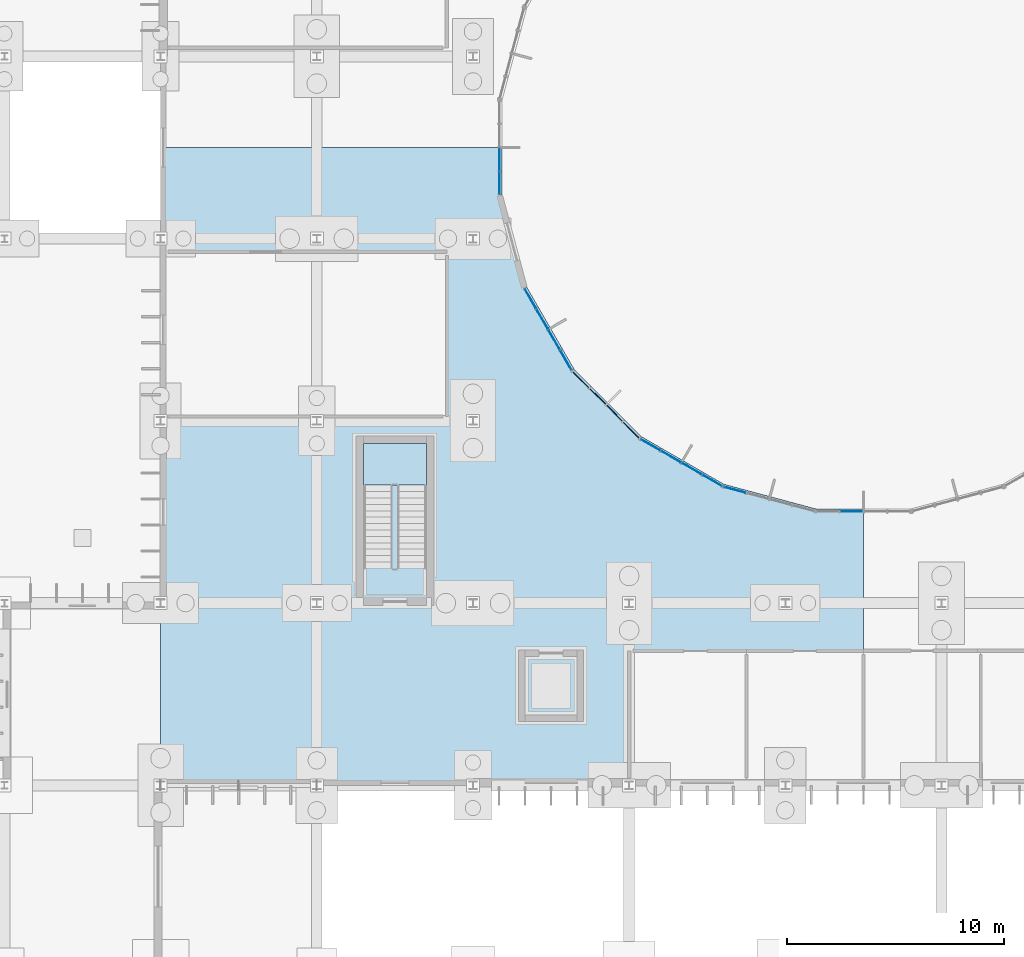
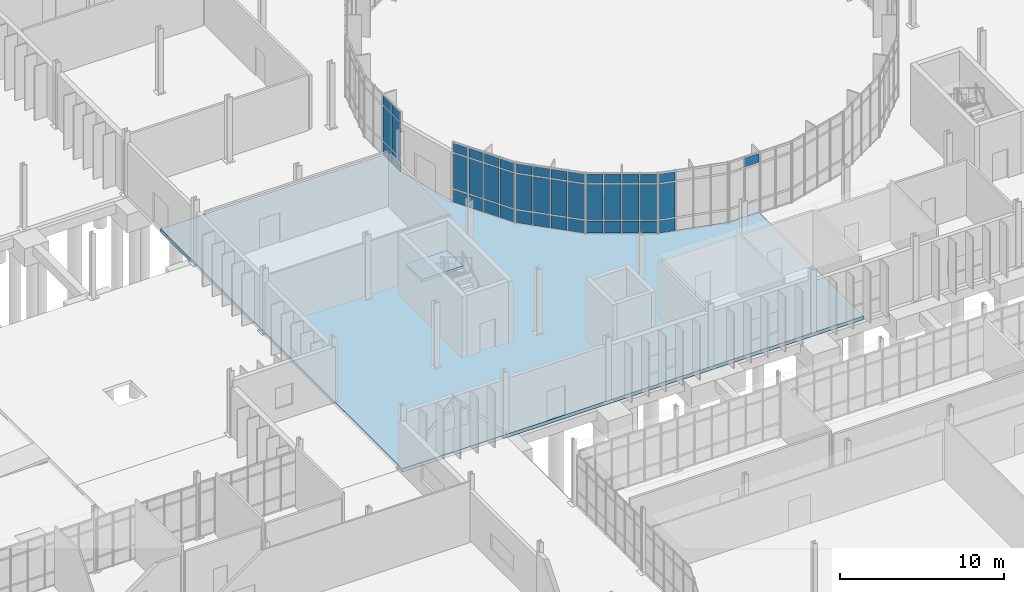
# One storey, part 58 of 118: 46 plates, 2 slabs, 7 elements without a shape of their own.
"""IFC4 building model written with IfcOpenShell, lengths in metres."""

from ifc_helpers import new_model, si_unit, direction, frame, origin, origin_2d, place, context, subcontext, project, spatial, polyline, rectangle, outline, extrude, material, layer, layer_set, type_object, element, aggregate, save


model = new_model("IFC4")

# Units and contexts
model_context = context("Model", 3, precision=1e-05, world=origin(), true_north=direction((0.0, 1.0)))
body_context = subcontext(model_context, "Body", "Model", "MODEL_VIEW")
ifc_project = project(units=[si_unit("LENGTHUNIT", "METRE"), si_unit("AREAUNIT", "SQUARE_METRE"), si_unit("VOLUMEUNIT", "CUBIC_METRE"), si_unit("PLANEANGLEUNIT", "RADIAN"), si_unit("MASSUNIT", "GRAM", prefix="KILO")], contexts=[model_context])

# Site, building, storey
site_placement = place(None, origin())
site = spatial("IfcSite", under=ifc_project, at=site_placement, CompositionType="ELEMENT")
building_placement = place(site_placement, origin())
building = spatial("IfcBuilding", under=site, at=building_placement, Name="Qelthora Terrace Specialist Clinic", CompositionType="ELEMENT")
storey_placement = place(building_placement, origin())
storey = spatial("IfcBuildingStorey", under=building, at=storey_placement, Name="L00", CompositionType="ELEMENT", Elevation=0.0)

# Curtain wall, plates
ifc_material_1 = material(Name="Aluminium anodized bronze", Category="aluminium")
curtain_wall_type = type_object("IfcCurtainWallType", Name="CW-CRTE-L00", PredefinedType="NOTDEFINED", material=ifc_material_1)
curtain_wall_1_placement = place(storey_placement, origin())
curtain_wall_1 = element("IfcCurtainWall", 1, at=curtain_wall_1_placement, inside=storey, type_object=curtain_wall_type, Name="Curtain wall CW-CE-L00-12", PredefinedType="NOTDEFINED")
ifc_material_2 = material(Name="Low-E triple-silver insulating glass", Category="glass")
ifc_layer_1 = layer(ifc_material_2, 0.035888671875)
ifc_layer_set_1 = layer_set([ifc_layer_1], Name="Low-E triple-silver insulating glass")
plate_type = type_object("IfcPlateType", Name="CWP-IGU-36", PredefinedType="CURTAIN_PANEL", material=ifc_layer_set_1)
plate_1_placement = place(storey_placement, frame((109.2236328125, 62.451904296875, 0.0849609375), z_axis=(0.0, 0.0, 1.0), x_axis=(0.0, -1.0, 0.0)))
plate_1 = element("IfcPlate", 2, at=plate_1_placement, type_object=plate_type, Name="CW-CE-L00-12 glazed panel 7", PredefinedType="CURTAIN_PANEL", context=body_context, shape_type="SweptSolid", body=[
    extrude(rectangle(XDim=0.996337890625, YDim=0.035888671875, at=origin_2d()), origin(), (0.0, 0.0, 1.0), 0.919921875),
])
plate_2_placement = place(storey_placement, frame((109.2236328125, 62.451904296875, 1.094970703125), z_axis=(0.0, 0.0, 1.0), x_axis=(0.0, -1.0, 0.0)))
plate_2 = element("IfcPlate", 3, at=plate_2_placement, type_object=plate_type, Name="CW-CE-L00-12 glazed panel 8", PredefinedType="CURTAIN_PANEL", context=body_context, shape_type="SweptSolid", body=[
    extrude(rectangle(XDim=0.996337890625, YDim=0.035888671875, at=origin_2d()), origin(), (0.0, 0.0, 1.0), 2.60498046875),
])
plate_3_placement = place(storey_placement, frame((109.2236328125, 62.451904296875, 3.7900390625), z_axis=(0.0, 0.0, 1.0), x_axis=(0.0, -1.0, 0.0)))
plate_3 = element("IfcPlate", 4, at=plate_3_placement, type_object=plate_type, Name="CW-CE-L00-12 glazed panel 9", PredefinedType="CURTAIN_PANEL", context=body_context, shape_type="SweptSolid", body=[
    extrude(rectangle(XDim=0.996337890625, YDim=0.035888671875, at=origin_2d()), origin(), (0.0, 0.0, 1.0), 0.669921875),
])
plate_4_placement = place(storey_placement, frame((109.2236328125, 61.35546875, 0.0849609375), z_axis=(0.0, 0.0, 1.0), x_axis=(0.0, -1.0, 0.0)))
plate_4 = element("IfcPlate", 5, at=plate_4_placement, type_object=plate_type, Name="CW-CE-L00-12 glazed panel 10", PredefinedType="CURTAIN_PANEL", context=body_context, shape_type="SweptSolid", body=[
    extrude(rectangle(XDim=0.996337890625, YDim=0.035888671875, at=origin_2d()), origin(), (0.0, 0.0, 1.0), 0.919921875),
])
plate_5_placement = place(storey_placement, frame((109.2236328125, 61.35546875, 1.094970703125), z_axis=(0.0, 0.0, 1.0), x_axis=(0.0, -1.0, 0.0)))
plate_5 = element("IfcPlate", 6, at=plate_5_placement, type_object=plate_type, Name="CW-CE-L00-12 glazed panel 11", PredefinedType="CURTAIN_PANEL", context=body_context, shape_type="SweptSolid", body=[
    extrude(rectangle(XDim=0.996337890625, YDim=0.035888671875, at=origin_2d()), origin(), (0.0, 0.0, 1.0), 2.60498046875),
])
plate_6_placement = place(storey_placement, frame((109.2236328125, 61.35546875, 3.7900390625), z_axis=(0.0, 0.0, 1.0), x_axis=(0.0, -1.0, 0.0)))
plate_6 = element("IfcPlate", 7, at=plate_6_placement, type_object=plate_type, Name="CW-CE-L00-12 glazed panel 12", PredefinedType="CURTAIN_PANEL", context=body_context, shape_type="SweptSolid", body=[
    extrude(rectangle(XDim=0.996337890625, YDim=0.035888671875, at=origin_2d()), origin(), (0.0, 0.0, 1.0), 0.669921875),
])
aggregate(curtain_wall_1, [plate_1, plate_2, plate_3, plate_4, plate_5, plate_6])

curtain_wall_2_placement = place(storey_placement, origin())
curtain_wall_2 = element("IfcCurtainWall", 8, at=curtain_wall_2_placement, inside=storey, type_object=curtain_wall_type, Name="Curtain wall CW-CE-L00-14", PredefinedType="NOTDEFINED")
plate_7_placement = place(storey_placement, frame((110.64892578125, 56.0361328125, 0.0849609375), z_axis=(0.0, 0.0, 1.0), x_axis=(0.5, -0.866025403784, 0.0)))
plate_7 = element("IfcPlate", 9, at=plate_7_placement, type_object=plate_type, Name="CW-CE-L00-14 glazed panel 1", PredefinedType="CURTAIN_PANEL", context=body_context, shape_type="SweptSolid", body=[
    extrude(rectangle(XDim=0.996337890625, YDim=0.035888671875, at=origin_2d()), origin(), (0.0, 0.0, 1.0), 0.919921875),
])
plate_8_placement = place(storey_placement, frame((110.64892578125, 56.0361328125, 1.094970703125), z_axis=(0.0, 0.0, 1.0), x_axis=(0.5, -0.866025403784, 0.0)))
plate_8 = element("IfcPlate", 10, at=plate_8_placement, type_object=plate_type, Name="CW-CE-L00-14 glazed panel 2", PredefinedType="CURTAIN_PANEL", context=body_context, shape_type="SweptSolid", body=[
    extrude(rectangle(XDim=0.996337890625, YDim=0.035888671875, at=origin_2d()), origin(), (0.0, 0.0, 1.0), 2.60498046875),
])
plate_9_placement = place(storey_placement, frame((110.64892578125, 56.0361328125, 3.7900390625), z_axis=(0.0, 0.0, 1.0), x_axis=(0.5, -0.866025403784, 0.0)))
plate_9 = element("IfcPlate", 11, at=plate_9_placement, type_object=plate_type, Name="CW-CE-L00-14 glazed panel 3", PredefinedType="CURTAIN_PANEL", context=body_context, shape_type="SweptSolid", body=[
    extrude(rectangle(XDim=0.996337890625, YDim=0.035888671875, at=origin_2d()), origin(), (0.0, 0.0, 1.0), 0.669921875),
])
plate_10_placement = place(storey_placement, frame((111.197265625, 55.086669921875, 0.0849609375), z_axis=(0.0, 0.0, 1.0), x_axis=(0.5, -0.866025403784, 0.0)))
plate_10 = element("IfcPlate", 12, at=plate_10_placement, type_object=plate_type, Name="CW-CE-L00-14 glazed panel 4", PredefinedType="CURTAIN_PANEL", context=body_context, shape_type="SweptSolid", body=[
    extrude(rectangle(XDim=0.996337890625, YDim=0.035888671875, at=origin_2d()), origin(), (0.0, 0.0, 1.0), 0.919921875),
])
plate_11_placement = place(storey_placement, frame((111.197265625, 55.086669921875, 1.094970703125), z_axis=(0.0, 0.0, 1.0), x_axis=(0.5, -0.866025403784, 0.0)))
plate_11 = element("IfcPlate", 13, at=plate_11_placement, type_object=plate_type, Name="CW-CE-L00-14 glazed panel 5", PredefinedType="CURTAIN_PANEL", context=body_context, shape_type="SweptSolid", body=[
    extrude(rectangle(XDim=0.996337890625, YDim=0.035888671875, at=origin_2d()), origin(), (0.0, 0.0, 1.0), 2.60498046875),
])
plate_12_placement = place(storey_placement, frame((111.197265625, 55.086669921875, 3.7900390625), z_axis=(0.0, 0.0, 1.0), x_axis=(0.5, -0.866025403784, 0.0)))
plate_12 = element("IfcPlate", 14, at=plate_12_placement, type_object=plate_type, Name="CW-CE-L00-14 glazed panel 6", PredefinedType="CURTAIN_PANEL", context=body_context, shape_type="SweptSolid", body=[
    extrude(rectangle(XDim=0.996337890625, YDim=0.035888671875, at=origin_2d()), origin(), (0.0, 0.0, 1.0), 0.669921875),
])
plate_13_placement = place(storey_placement, frame((111.745361328125, 54.13720703125, 0.0849609375), z_axis=(0.0, 0.0, 1.0), x_axis=(0.5, -0.866025403784, 0.0)))
plate_13 = element("IfcPlate", 15, at=plate_13_placement, type_object=plate_type, Name="CW-CE-L00-14 glazed panel 7", PredefinedType="CURTAIN_PANEL", context=body_context, shape_type="SweptSolid", body=[
    extrude(rectangle(XDim=0.996337890625, YDim=0.035888671875, at=origin_2d()), origin(), (0.0, 0.0, 1.0), 0.919921875),
])
plate_14_placement = place(storey_placement, frame((111.745361328125, 54.13720703125, 1.094970703125), z_axis=(0.0, 0.0, 1.0), x_axis=(0.5, -0.866025403784, 0.0)))
plate_14 = element("IfcPlate", 16, at=plate_14_placement, type_object=plate_type, Name="CW-CE-L00-14 glazed panel 8", PredefinedType="CURTAIN_PANEL", context=body_context, shape_type="SweptSolid", body=[
    extrude(rectangle(XDim=0.996337890625, YDim=0.035888671875, at=origin_2d()), origin(), (0.0, 0.0, 1.0), 2.60498046875),
])
plate_15_placement = place(storey_placement, frame((111.745361328125, 54.13720703125, 3.7900390625), z_axis=(0.0, 0.0, 1.0), x_axis=(0.5, -0.866025403784, 0.0)))
plate_15 = element("IfcPlate", 17, at=plate_15_placement, type_object=plate_type, Name="CW-CE-L00-14 glazed panel 9", PredefinedType="CURTAIN_PANEL", context=body_context, shape_type="SweptSolid", body=[
    extrude(rectangle(XDim=0.996337890625, YDim=0.035888671875, at=origin_2d()), origin(), (0.0, 0.0, 1.0), 0.669921875),
])
plate_16_placement = place(storey_placement, frame((112.293701171875, 53.1875, 0.0849609375), z_axis=(0.0, 0.0, 1.0), x_axis=(0.5, -0.866025403784, 0.0)))
plate_16 = element("IfcPlate", 18, at=plate_16_placement, type_object=plate_type, Name="CW-CE-L00-14 glazed panel 10", PredefinedType="CURTAIN_PANEL", context=body_context, shape_type="SweptSolid", body=[
    extrude(rectangle(XDim=0.996337890625, YDim=0.035888671875, at=origin_2d()), origin(), (0.0, 0.0, 1.0), 0.919921875),
])
plate_17_placement = place(storey_placement, frame((112.293701171875, 53.1875, 1.094970703125), z_axis=(0.0, 0.0, 1.0), x_axis=(0.5, -0.866025403784, 0.0)))
plate_17 = element("IfcPlate", 19, at=plate_17_placement, type_object=plate_type, Name="CW-CE-L00-14 glazed panel 11", PredefinedType="CURTAIN_PANEL", context=body_context, shape_type="SweptSolid", body=[
    extrude(rectangle(XDim=0.996337890625, YDim=0.035888671875, at=origin_2d()), origin(), (0.0, 0.0, 1.0), 2.60498046875),
])
plate_18_placement = place(storey_placement, frame((112.293701171875, 53.1875, 3.7900390625), z_axis=(0.0, 0.0, 1.0), x_axis=(0.5, -0.866025403784, 0.0)))
plate_18 = element("IfcPlate", 20, at=plate_18_placement, type_object=plate_type, Name="CW-CE-L00-14 glazed panel 12", PredefinedType="CURTAIN_PANEL", context=body_context, shape_type="SweptSolid", body=[
    extrude(rectangle(XDim=0.996337890625, YDim=0.035888671875, at=origin_2d()), origin(), (0.0, 0.0, 1.0), 0.669921875),
])
aggregate(curtain_wall_2, [plate_7, plate_8, plate_9, plate_10, plate_11, plate_12, plate_13, plate_14, plate_15, plate_16, plate_17, plate_18])

curtain_wall_3_placement = place(storey_placement, origin())
curtain_wall_3 = element("IfcCurtainWall", 21, at=curtain_wall_3_placement, inside=storey, type_object=curtain_wall_type, Name="Curtain wall CW-CE-L00-15", PredefinedType="NOTDEFINED")
plate_19_placement = place(storey_placement, frame((112.974365234375, 52.30029296875, 0.0849609375), z_axis=(0.0, 0.0, 1.0), x_axis=(0.707106781187, -0.707106781187, 0.0)))
plate_19 = element("IfcPlate", 22, at=plate_19_placement, type_object=plate_type, Name="CW-CE-L00-15 glazed panel 1", PredefinedType="CURTAIN_PANEL", context=body_context, shape_type="SweptSolid", body=[
    extrude(rectangle(XDim=0.996337890625, YDim=0.035888671875, at=origin_2d()), origin(), (0.0, 0.0, 1.0), 0.919921875),
])
plate_20_placement = place(storey_placement, frame((112.974365234375, 52.30029296875, 1.094970703125), z_axis=(0.0, 0.0, 1.0), x_axis=(0.707106781187, -0.707106781187, 0.0)))
plate_20 = element("IfcPlate", 23, at=plate_20_placement, type_object=plate_type, Name="CW-CE-L00-15 glazed panel 2", PredefinedType="CURTAIN_PANEL", context=body_context, shape_type="SweptSolid", body=[
    extrude(rectangle(XDim=0.996337890625, YDim=0.035888671875, at=origin_2d()), origin(), (0.0, 0.0, 1.0), 2.60498046875),
])
plate_21_placement = place(storey_placement, frame((112.974365234375, 52.30029296875, 3.7900390625), z_axis=(0.0, 0.0, 1.0), x_axis=(0.707106781187, -0.707106781187, 0.0)))
plate_21 = element("IfcPlate", 24, at=plate_21_placement, type_object=plate_type, Name="CW-CE-L00-15 glazed panel 3", PredefinedType="CURTAIN_PANEL", context=body_context, shape_type="SweptSolid", body=[
    extrude(rectangle(XDim=0.996337890625, YDim=0.035888671875, at=origin_2d()), origin(), (0.0, 0.0, 1.0), 0.669921875),
])
plate_22_placement = place(storey_placement, frame((113.749755859375, 51.525146484375, 0.0849609375), z_axis=(0.0, 0.0, 1.0), x_axis=(0.707106781187, -0.707106781187, 0.0)))
plate_22 = element("IfcPlate", 25, at=plate_22_placement, type_object=plate_type, Name="CW-CE-L00-15 glazed panel 4", PredefinedType="CURTAIN_PANEL", context=body_context, shape_type="SweptSolid", body=[
    extrude(rectangle(XDim=0.996337890625, YDim=0.035888671875, at=origin_2d()), origin(), (0.0, 0.0, 1.0), 0.919921875),
])
plate_23_placement = place(storey_placement, frame((113.749755859375, 51.525146484375, 1.094970703125), z_axis=(0.0, 0.0, 1.0), x_axis=(0.707106781187, -0.707106781187, 0.0)))
plate_23 = element("IfcPlate", 26, at=plate_23_placement, type_object=plate_type, Name="CW-CE-L00-15 glazed panel 5", PredefinedType="CURTAIN_PANEL", context=body_context, shape_type="SweptSolid", body=[
    extrude(rectangle(XDim=0.996337890625, YDim=0.035888671875, at=origin_2d()), origin(), (0.0, 0.0, 1.0), 2.60498046875),
])
plate_24_placement = place(storey_placement, frame((113.749755859375, 51.525146484375, 3.7900390625), z_axis=(0.0, 0.0, 1.0), x_axis=(0.707106781187, -0.707106781187, 0.0)))
plate_24 = element("IfcPlate", 27, at=plate_24_placement, type_object=plate_type, Name="CW-CE-L00-15 glazed panel 6", PredefinedType="CURTAIN_PANEL", context=body_context, shape_type="SweptSolid", body=[
    extrude(rectangle(XDim=0.996337890625, YDim=0.035888671875, at=origin_2d()), origin(), (0.0, 0.0, 1.0), 0.669921875),
])
plate_25_placement = place(storey_placement, frame((114.525146484375, 50.749755859375, 0.0849609375), z_axis=(0.0, 0.0, 1.0), x_axis=(0.707106781187, -0.707106781187, 0.0)))
plate_25 = element("IfcPlate", 28, at=plate_25_placement, type_object=plate_type, Name="CW-CE-L00-15 glazed panel 7", PredefinedType="CURTAIN_PANEL", context=body_context, shape_type="SweptSolid", body=[
    extrude(rectangle(XDim=0.996337890625, YDim=0.035888671875, at=origin_2d()), origin(), (0.0, 0.0, 1.0), 0.919921875),
])
plate_26_placement = place(storey_placement, frame((114.525146484375, 50.749755859375, 1.094970703125), z_axis=(0.0, 0.0, 1.0), x_axis=(0.707106781187, -0.707106781187, 0.0)))
plate_26 = element("IfcPlate", 29, at=plate_26_placement, type_object=plate_type, Name="CW-CE-L00-15 glazed panel 8", PredefinedType="CURTAIN_PANEL", context=body_context, shape_type="SweptSolid", body=[
    extrude(rectangle(XDim=0.996337890625, YDim=0.035888671875, at=origin_2d()), origin(), (0.0, 0.0, 1.0), 2.60498046875),
])
plate_27_placement = place(storey_placement, frame((114.525146484375, 50.749755859375, 3.7900390625), z_axis=(0.0, 0.0, 1.0), x_axis=(0.707106781187, -0.707106781187, 0.0)))
plate_27 = element("IfcPlate", 30, at=plate_27_placement, type_object=plate_type, Name="CW-CE-L00-15 glazed panel 9", PredefinedType="CURTAIN_PANEL", context=body_context, shape_type="SweptSolid", body=[
    extrude(rectangle(XDim=0.996337890625, YDim=0.035888671875, at=origin_2d()), origin(), (0.0, 0.0, 1.0), 0.669921875),
])
plate_28_placement = place(storey_placement, frame((115.30029296875, 49.974365234375, 0.0849609375), z_axis=(0.0, 0.0, 1.0), x_axis=(0.707106781187, -0.707106781187, 0.0)))
plate_28 = element("IfcPlate", 31, at=plate_28_placement, type_object=plate_type, Name="CW-CE-L00-15 glazed panel 10", PredefinedType="CURTAIN_PANEL", context=body_context, shape_type="SweptSolid", body=[
    extrude(rectangle(XDim=0.996337890625, YDim=0.035888671875, at=origin_2d()), origin(), (0.0, 0.0, 1.0), 0.919921875),
])
plate_29_placement = place(storey_placement, frame((115.30029296875, 49.974365234375, 1.094970703125), z_axis=(0.0, 0.0, 1.0), x_axis=(0.707106781187, -0.707106781187, 0.0)))
plate_29 = element("IfcPlate", 32, at=plate_29_placement, type_object=plate_type, Name="CW-CE-L00-15 glazed panel 11", PredefinedType="CURTAIN_PANEL", context=body_context, shape_type="SweptSolid", body=[
    extrude(rectangle(XDim=0.996337890625, YDim=0.035888671875, at=origin_2d()), origin(), (0.0, 0.0, 1.0), 2.60498046875),
])
plate_30_placement = place(storey_placement, frame((115.30029296875, 49.974365234375, 3.7900390625), z_axis=(0.0, 0.0, 1.0), x_axis=(0.707106781187, -0.707106781187, 0.0)))
plate_30 = element("IfcPlate", 33, at=plate_30_placement, type_object=plate_type, Name="CW-CE-L00-15 glazed panel 12", PredefinedType="CURTAIN_PANEL", context=body_context, shape_type="SweptSolid", body=[
    extrude(rectangle(XDim=0.996337890625, YDim=0.035888671875, at=origin_2d()), origin(), (0.0, 0.0, 1.0), 0.669921875),
])
aggregate(curtain_wall_3, [plate_19, plate_20, plate_21, plate_22, plate_23, plate_24, plate_25, plate_26, plate_27, plate_28, plate_29, plate_30])

curtain_wall_4_placement = place(storey_placement, origin())
curtain_wall_4 = element("IfcCurtainWall", 34, at=curtain_wall_4_placement, inside=storey, type_object=curtain_wall_type, Name="Curtain wall CW-CE-L00-16", PredefinedType="NOTDEFINED")
plate_31_placement = place(storey_placement, frame((116.1875, 49.293701171875, 0.0849609375), z_axis=(0.0, 0.0, 1.0), x_axis=(0.866025403784, -0.5, 0.0)))
plate_31 = element("IfcPlate", 35, at=plate_31_placement, type_object=plate_type, Name="CW-CE-L00-16 glazed panel 1", PredefinedType="CURTAIN_PANEL", context=body_context, shape_type="SweptSolid", body=[
    extrude(rectangle(XDim=0.996337890625, YDim=0.035888671875, at=origin_2d()), origin(), (0.0, 0.0, 1.0), 0.919921875),
])
plate_32_placement = place(storey_placement, frame((116.1875, 49.293701171875, 1.094970703125), z_axis=(0.0, 0.0, 1.0), x_axis=(0.866025403784, -0.5, 0.0)))
plate_32 = element("IfcPlate", 36, at=plate_32_placement, type_object=plate_type, Name="CW-CE-L00-16 glazed panel 2", PredefinedType="CURTAIN_PANEL", context=body_context, shape_type="SweptSolid", body=[
    extrude(rectangle(XDim=0.996337890625, YDim=0.035888671875, at=origin_2d()), origin(), (0.0, 0.0, 1.0), 2.60498046875),
])
plate_33_placement = place(storey_placement, frame((116.1875, 49.293701171875, 3.7900390625), z_axis=(0.0, 0.0, 1.0), x_axis=(0.866025403784, -0.5, 0.0)))
plate_33 = element("IfcPlate", 37, at=plate_33_placement, type_object=plate_type, Name="CW-CE-L00-16 glazed panel 3", PredefinedType="CURTAIN_PANEL", context=body_context, shape_type="SweptSolid", body=[
    extrude(rectangle(XDim=0.996337890625, YDim=0.035888671875, at=origin_2d()), origin(), (0.0, 0.0, 1.0), 0.669921875),
])
plate_34_placement = place(storey_placement, frame((117.13720703125, 48.745361328125, 0.0849609375), z_axis=(0.0, 0.0, 1.0), x_axis=(0.866025403784, -0.5, 0.0)))
plate_34 = element("IfcPlate", 38, at=plate_34_placement, type_object=plate_type, Name="CW-CE-L00-16 glazed panel 4", PredefinedType="CURTAIN_PANEL", context=body_context, shape_type="SweptSolid", body=[
    extrude(rectangle(XDim=0.996337890625, YDim=0.035888671875, at=origin_2d()), origin(), (0.0, 0.0, 1.0), 0.919921875),
])
plate_35_placement = place(storey_placement, frame((117.13720703125, 48.745361328125, 1.094970703125), z_axis=(0.0, 0.0, 1.0), x_axis=(0.866025403784, -0.5, 0.0)))
plate_35 = element("IfcPlate", 39, at=plate_35_placement, type_object=plate_type, Name="CW-CE-L00-16 glazed panel 5", PredefinedType="CURTAIN_PANEL", context=body_context, shape_type="SweptSolid", body=[
    extrude(rectangle(XDim=0.996337890625, YDim=0.035888671875, at=origin_2d()), origin(), (0.0, 0.0, 1.0), 2.60498046875),
])
plate_36_placement = place(storey_placement, frame((117.13720703125, 48.745361328125, 3.7900390625), z_axis=(0.0, 0.0, 1.0), x_axis=(0.866025403784, -0.5, 0.0)))
plate_36 = element("IfcPlate", 40, at=plate_36_placement, type_object=plate_type, Name="CW-CE-L00-16 glazed panel 6", PredefinedType="CURTAIN_PANEL", context=body_context, shape_type="SweptSolid", body=[
    extrude(rectangle(XDim=0.996337890625, YDim=0.035888671875, at=origin_2d()), origin(), (0.0, 0.0, 1.0), 0.669921875),
])
plate_37_placement = place(storey_placement, frame((118.086669921875, 48.197265625, 0.0849609375), z_axis=(0.0, 0.0, 1.0), x_axis=(0.866025403784, -0.5, 0.0)))
plate_37 = element("IfcPlate", 41, at=plate_37_placement, type_object=plate_type, Name="CW-CE-L00-16 glazed panel 7", PredefinedType="CURTAIN_PANEL", context=body_context, shape_type="SweptSolid", body=[
    extrude(rectangle(XDim=0.996337890625, YDim=0.035888671875, at=origin_2d()), origin(), (0.0, 0.0, 1.0), 0.919921875),
])
plate_38_placement = place(storey_placement, frame((118.086669921875, 48.197265625, 1.094970703125), z_axis=(0.0, 0.0, 1.0), x_axis=(0.866025403784, -0.5, 0.0)))
plate_38 = element("IfcPlate", 42, at=plate_38_placement, type_object=plate_type, Name="CW-CE-L00-16 glazed panel 8", PredefinedType="CURTAIN_PANEL", context=body_context, shape_type="SweptSolid", body=[
    extrude(rectangle(XDim=0.996337890625, YDim=0.035888671875, at=origin_2d()), origin(), (0.0, 0.0, 1.0), 2.60498046875),
])
plate_39_placement = place(storey_placement, frame((118.086669921875, 48.197265625, 3.7900390625), z_axis=(0.0, 0.0, 1.0), x_axis=(0.866025403784, -0.5, 0.0)))
plate_39 = element("IfcPlate", 43, at=plate_39_placement, type_object=plate_type, Name="CW-CE-L00-16 glazed panel 9", PredefinedType="CURTAIN_PANEL", context=body_context, shape_type="SweptSolid", body=[
    extrude(rectangle(XDim=0.996337890625, YDim=0.035888671875, at=origin_2d()), origin(), (0.0, 0.0, 1.0), 0.669921875),
])
plate_40_placement = place(storey_placement, frame((119.0361328125, 47.64892578125, 0.0849609375), z_axis=(0.0, 0.0, 1.0), x_axis=(0.866025403784, -0.5, 0.0)))
plate_40 = element("IfcPlate", 44, at=plate_40_placement, type_object=plate_type, Name="CW-CE-L00-16 glazed panel 10", PredefinedType="CURTAIN_PANEL", context=body_context, shape_type="SweptSolid", body=[
    extrude(rectangle(XDim=0.996337890625, YDim=0.035888671875, at=origin_2d()), origin(), (0.0, 0.0, 1.0), 0.919921875),
])
plate_41_placement = place(storey_placement, frame((119.0361328125, 47.64892578125, 1.094970703125), z_axis=(0.0, 0.0, 1.0), x_axis=(0.866025403784, -0.5, 0.0)))
plate_41 = element("IfcPlate", 45, at=plate_41_placement, type_object=plate_type, Name="CW-CE-L00-16 glazed panel 11", PredefinedType="CURTAIN_PANEL", context=body_context, shape_type="SweptSolid", body=[
    extrude(rectangle(XDim=0.996337890625, YDim=0.035888671875, at=origin_2d()), origin(), (0.0, 0.0, 1.0), 2.60498046875),
])
plate_42_placement = place(storey_placement, frame((119.0361328125, 47.64892578125, 3.7900390625), z_axis=(0.0, 0.0, 1.0), x_axis=(0.866025403784, -0.5, 0.0)))
plate_42 = element("IfcPlate", 46, at=plate_42_placement, type_object=plate_type, Name="CW-CE-L00-16 glazed panel 12", PredefinedType="CURTAIN_PANEL", context=body_context, shape_type="SweptSolid", body=[
    extrude(rectangle(XDim=0.996337890625, YDim=0.035888671875, at=origin_2d()), origin(), (0.0, 0.0, 1.0), 0.669921875),
])
aggregate(curtain_wall_4, [plate_31, plate_32, plate_33, plate_34, plate_35, plate_36, plate_37, plate_38, plate_39, plate_40, plate_41, plate_42])

curtain_wall_5_placement = place(storey_placement, origin())
curtain_wall_5 = element("IfcCurtainWall", 47, at=curtain_wall_5_placement, inside=storey, type_object=curtain_wall_type, Name="Curtain wall CW-CE-L00-17", PredefinedType="NOTDEFINED")
plate_43_placement = place(storey_placement, frame((120.0693359375, 47.220947265625, 0.0849609375), z_axis=(0.0, 0.0, 1.0), x_axis=(0.965925826289, -0.258819045103, 0.0)))
plate_43 = element("IfcPlate", 48, at=plate_43_placement, type_object=plate_type, Name="CW-CE-L00-17 glazed panel 1", PredefinedType="CURTAIN_PANEL", context=body_context, shape_type="SweptSolid", body=[
    extrude(rectangle(XDim=0.996337890625, YDim=0.035888671875, at=origin_2d()), origin(), (0.0, 0.0, 1.0), 0.919921875),
])
plate_44_placement = place(storey_placement, frame((120.0693359375, 47.220947265625, 1.094970703125), z_axis=(0.0, 0.0, 1.0), x_axis=(0.965925826289, -0.258819045103, 0.0)))
plate_44 = element("IfcPlate", 49, at=plate_44_placement, type_object=plate_type, Name="CW-CE-L00-17 glazed panel 2", PredefinedType="CURTAIN_PANEL", context=body_context, shape_type="SweptSolid", body=[
    extrude(rectangle(XDim=0.996337890625, YDim=0.035888671875, at=origin_2d()), origin(), (0.0, 0.0, 1.0), 2.60498046875),
])
plate_45_placement = place(storey_placement, frame((120.0693359375, 47.220947265625, 3.7900390625), z_axis=(0.0, 0.0, 1.0), x_axis=(0.965925826289, -0.258819045103, 0.0)))
plate_45 = element("IfcPlate", 50, at=plate_45_placement, type_object=plate_type, Name="CW-CE-L00-17 glazed panel 3", PredefinedType="CURTAIN_PANEL", context=body_context, shape_type="SweptSolid", body=[
    extrude(rectangle(XDim=0.996337890625, YDim=0.035888671875, at=origin_2d()), origin(), (0.0, 0.0, 1.0), 0.669921875),
])
aggregate(curtain_wall_5, [plate_43, plate_44, plate_45])

# Curtain wall, plate
curtain_wall_6_placement = place(storey_placement, origin())
curtain_wall_6 = element("IfcCurtainWall", 51, at=curtain_wall_6_placement, inside=storey, type_object=curtain_wall_type, Name="Curtain wall CW-CE-L00-18", PredefinedType="NOTDEFINED")
plate_46_placement = place(storey_placement, frame((125.451904296875, 46.2236328125, 3.7900390625), z_axis=(0.0, 0.0, 1.0), x_axis=(1.0, 0.0, 0.0)))
plate_46 = element("IfcPlate", 52, at=plate_46_placement, type_object=plate_type, Name="CW-CE-L00-18 glazed panel 6", PredefinedType="CURTAIN_PANEL", context=body_context, shape_type="SweptSolid", body=[
    extrude(rectangle(XDim=0.996337890625, YDim=0.035888671875, at=origin_2d()), origin(), (0.0, 0.0, 1.0), 0.669921875),
])
aggregate(curtain_wall_6, [plate_46])

# Slab
ifc_material_3 = material(Name="Concrete C30/37", Category="concrete")
ifc_layer_2 = layer(ifc_material_3, 0.260009765625)
ifc_layer_set_2 = layer_set([ifc_layer_2], Name="Concrete C30/37")
slab_type_1 = type_object("IfcSlabType", Name="SLB-BASE-260-C30", PredefinedType="BASESLAB", material=ifc_layer_set_2)
slab_1_placement = place(storey_placement, frame((0.0, 0.0, -0.260009765625)))
element("IfcSlab", 53, at=slab_1_placement, inside=storey, type_object=slab_type_1, Name="L00 V4 slab SLB-L00-V4-1A", PredefinedType="BASESLAB", context=body_context, shape_type="SweptSolid", body=[
    extrude(outline(polyline([(93.60009765625, 33.60009765625), (93.60009765625, 63.0), (109.34375, 63.0), (109.34375, 60.80712890625), (110.478759765625, 56.57080078125), (112.671630859375, 52.772705078125), (115.772705078125, 49.671630859375), (119.57080078125, 47.478759765625), (123.80712890625, 46.34375), (126.0, 46.34375), (126.0, 33.60009765625), (93.60009765625, 33.60009765625)])), origin(), (0.0, 0.0, 1.0), 0.260009765625),
])

# Stair, slab
stair_type = type_object("IfcStairType", Name="STR-175-295", PredefinedType="HALF_TURN_STAIR", material=ifc_material_3)
stair_placement = place(storey_placement, origin())
stair = element("IfcStair", 54, at=stair_placement, inside=storey, type_object=stair_type, Name="L00 Enclosed Exit Stair ST-05", PredefinedType="HALF_TURN_STAIR")
ifc_layer_3 = layer(ifc_material_3, 0.199951171875)
ifc_layer_set_3 = layer_set([ifc_layer_3], Name="Concrete C30/37")
slab_type_2 = type_object("IfcSlabType", Name="SLB-LAND-200-C30", PredefinedType="LANDING", material=ifc_layer_set_3)
slab_2_placement = place(storey_placement, frame((0.0, 0.0, 2.199951171875)))
slab_2 = element("IfcSlab", 55, at=slab_2_placement, type_object=slab_type_2, Name="ST-05 landing 1", PredefinedType="LANDING", context=body_context, shape_type="SweptSolid", body=[
    extrude(outline(polyline([(105.85009765625, 47.43505859375), (105.85009765625, 49.35009765625), (102.949951171875, 49.35009765625), (102.949951171875, 47.43505859375), (105.85009765625, 47.43505859375)])), origin(), (0.0, 0.0, 1.0), 0.199951171875),
])
aggregate(stair, [slab_2])

save(model, "model.ifc")
